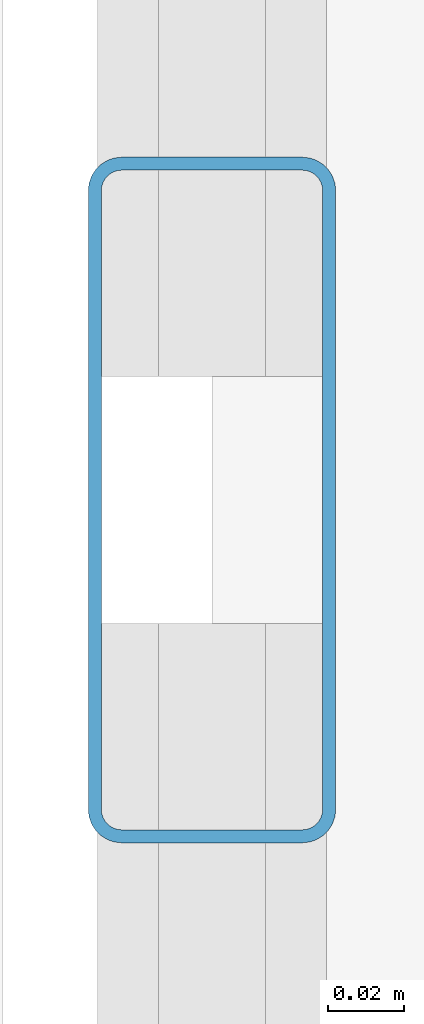
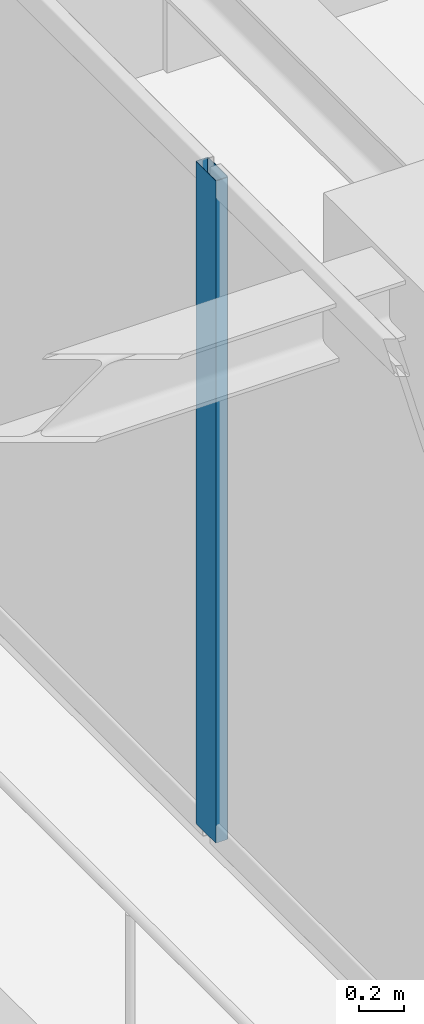
# One storey, part 7 of 37: 1 member, 1 element without a shape of its own.
"""IFC4 building model written with IfcOpenShell, lengths in metres."""

from ifc_helpers import new_model, si_unit, direction, frame, origin, origin_2d, place, context, subcontext, project, spatial, hollow_rectangle, extrude, source, transform, mapped, material, layer, layer_set, material_profile, profile_set, type_object, element, aggregate, save


model = new_model("IFC4")

# Units and contexts
model_context = context("Model", 3, precision=1e-05, world=origin(), true_north=direction((0.0, 1.0)))
body_context = subcontext(model_context, "Body", "Model", "MODEL_VIEW")
ifc_project = project(units=[si_unit("LENGTHUNIT", "METRE"), si_unit("AREAUNIT", "SQUARE_METRE"), si_unit("VOLUMEUNIT", "CUBIC_METRE"), si_unit("PLANEANGLEUNIT", "RADIAN"), si_unit("MASSUNIT", "GRAM", prefix="KILO")], contexts=[model_context])

# Site, building, storey
site_placement = place(None, origin())
site = spatial("IfcSite", under=ifc_project, at=site_placement, CompositionType="ELEMENT")
building_placement = place(site_placement, origin())
building = spatial("IfcBuilding", under=site, at=building_placement, Name="Serunith Strait Residences", CompositionType="ELEMENT")
storey_placement = place(building_placement, frame((0.0, 0.0, 279.75)))
storey = spatial("IfcBuildingStorey", under=building, at=storey_placement, Name="L70", CompositionType="ELEMENT", Elevation=279.75)

# Curtain wall, member
ifc_material = material(Name="Pale-Champagne Anodised Aluminium", Category="aluminium")
ifc_layer = layer(ifc_material, 0.199951171875, Name="Pale-Champagne Anodised Aluminium")
ifc_layer_set = layer_set([ifc_layer], Name="Pale-Champagne Anodised Aluminium")
curtain_wall_type = type_object("IfcCurtainWallType", Name="CW-SYS4", PredefinedType="NOTDEFINED", material=ifc_layer_set)
curtain_wall_placement = place(storey_placement, origin())
curtain_wall = element("IfcCurtainWall", 1, at=curtain_wall_placement, inside=storey, type_object=curtain_wall_type, Name="L70 W Unitised Fritted Curtain Wall", PredefinedType="NOTDEFINED")
ifc_material_profile = material_profile(ifc_material, hollow_rectangle(XDim=0.06494140625, YDim=0.179931640625, WallThickness=0.00341796875, InnerFilletRadius=0.00537109375, OuterFilletRadius=0.0087890625, at=origin_2d()), Name="ALU 180x65x3.5")
ifc_profile_set = profile_set([ifc_material_profile], Name="Pale-Champagne Anodised Aluminium")
member_type = type_object("IfcMemberType", Name="CW-SYS4-MULL", PredefinedType="MULLION", material=ifc_profile_set)
shared_shape = source(origin(), body_context, "Body", "SweptSolid", [
    extrude(hollow_rectangle(XDim=0.06494140625, YDim=0.179931640625, WallThickness=0.00341796875, InnerFilletRadius=0.00537109375, OuterFilletRadius=0.0087890625, at=origin_2d()), origin(), (0.0, 0.0, 1.0), 3.574951171875),
])
member_placement = place(storey_placement, frame((7.39990234375, 22.0, 0.0), z_axis=(0.0, 0.0, 1.0), x_axis=(1.0, 0.0, 0.0)))
member = element("IfcMember", 2, at=member_placement, type_object=member_type, Name="CW-4 mullion 4", PredefinedType="MULLION", context=body_context, shape_type="MappedRepresentation", body=[
    mapped(shared_shape, transform((0.0, 0.0, 0.0), scale=1.0)),
])
aggregate(curtain_wall, [member])

save(model, "model.ifc")
